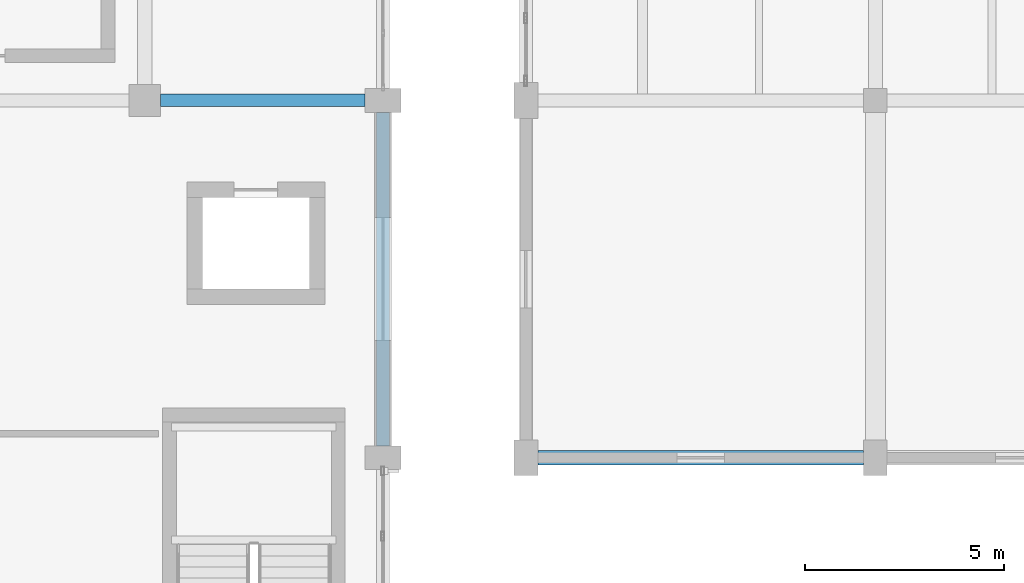
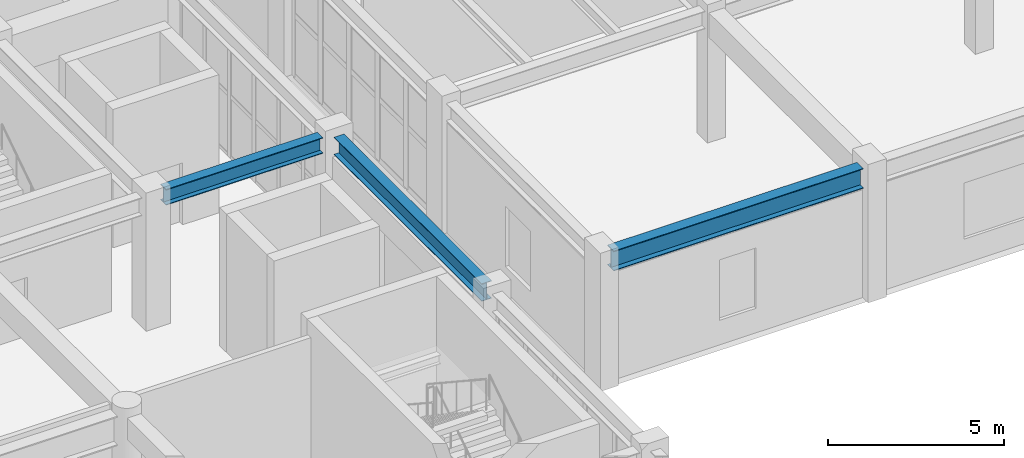
# One storey, part 27 of 96: 3 beams.
"""IFC4 building model written with IfcOpenShell, lengths in metres."""

from ifc_helpers import new_model, si_unit, direction, frame, origin, origin_2d, place, context, subcontext, project, spatial, i_section, extrude, material, material_profile, profile_set, type_object, element, save


model = new_model("IFC4")

# Units and contexts
model_context = context("Model", 3, precision=1e-05, world=origin(), true_north=direction((0.0, 1.0)))
body_context = subcontext(model_context, "Body", "Model", "MODEL_VIEW")
ifc_project = project(units=[si_unit("LENGTHUNIT", "METRE"), si_unit("AREAUNIT", "SQUARE_METRE"), si_unit("VOLUMEUNIT", "CUBIC_METRE"), si_unit("PLANEANGLEUNIT", "RADIAN"), si_unit("MASSUNIT", "GRAM", prefix="KILO")], contexts=[model_context])

# Site, building, storey
site_placement = place(None, origin())
site = spatial("IfcSite", under=ifc_project, at=site_placement, CompositionType="ELEMENT")
building_placement = place(site_placement, origin())
building = spatial("IfcBuilding", under=site, at=building_placement, Name="Vaelkrest Opera House", CompositionType="ELEMENT")
storey_placement = place(building_placement, frame((0.0, 0.0, 5.39990234375)))
storey = spatial("IfcBuildingStorey", under=building, at=storey_placement, Name="L01", CompositionType="ELEMENT", Elevation=5.39990234375)

# Beams
ifc_material = material(Name="Steel A992 Gr50", Category="steel")
ifc_material_profile_1 = material_profile(ifc_material, i_section(OverallWidth=0.31494140625, OverallDepth=0.551025390625, WebThickness=0.01513671875, FlangeThickness=0.0244140625, at=origin_2d()), Name="W21X122")
ifc_profile_set_1 = profile_set([ifc_material_profile_1], Name="Steel A992 Gr50")
beam_type_1 = type_object("IfcBeamType", Name="B20", PredefinedType="BEAM", material=ifc_profile_set_1)
beam_1_placement = place(storey_placement, frame((24.39990234375, -28.800048828125, 4.224609375), z_axis=(1.0, 0.0, 0.0), x_axis=(0.0, 1.0, 0.0)))
element("IfcBeam", 1, at=beam_1_placement, inside=storey, type_object=beam_type_1, Name="Beam BM-V1-L01-0228", PredefinedType="BEAM", context=body_context, shape_type="SweptSolid", body=[
    extrude(i_section(OverallWidth=0.31494140625, OverallDepth=0.551025390625, WebThickness=0.01513671875, FlangeThickness=0.0244140625, at=origin_2d()), origin(), (0.0, 0.0, 1.0), 5.150146484375),
])
ifc_material_profile_2 = material_profile(ifc_material, i_section(OverallWidth=0.323974609375, OverallDepth=0.611083984375, WebThickness=0.0126953125, FlangeThickness=0.01904296875, at=origin_2d()), Name="W24X104")
ifc_profile_set_2 = profile_set([ifc_material_profile_2], Name="Steel A992 Gr50")
beam_type_2 = type_object("IfcBeamType", Name="SP01", PredefinedType="SPANDREL", material=ifc_profile_set_2)
beam_2_placement = place(storey_placement, frame((30.0, -37.5, 4.194580078125), z_axis=(0.0, 1.0, 0.0), x_axis=(-1.0, 0.0, 0.0)))
element("IfcBeam", 2, at=beam_2_placement, inside=storey, type_object=beam_type_2, Name="Beam BM-V1-L01-0293", PredefinedType="SPANDREL", context=body_context, shape_type="SweptSolid", body=[
    extrude(i_section(OverallWidth=0.323974609375, OverallDepth=0.611083984375, WebThickness=0.0126953125, FlangeThickness=0.01904296875, at=origin_2d()), origin(), (0.0, 0.0, 1.0), 8.39990234375),
])
ifc_material_profile_3 = material_profile(ifc_material, i_section(OverallWidth=0.35498046875, OverallDepth=0.695068359375, WebThickness=0.015380859375, FlangeThickness=0.02490234375, at=origin_2d()), Name="W27X146")
ifc_profile_set_3 = profile_set([ifc_material_profile_3], Name="Steel A992 Gr50")
beam_type_3 = type_object("IfcBeamType", Name="SP02", PredefinedType="SPANDREL", material=ifc_profile_set_3)
beam_3_placement = place(storey_placement, frame((33.89990234375, -37.800048828125, 4.15771484375), z_axis=(1.0, 0.0, 0.0), x_axis=(0.0, 1.0, 0.0)))
element("IfcBeam", 3, at=beam_3_placement, inside=storey, type_object=beam_type_3, Name="Beam BM-V4-L01-2115", PredefinedType="SPANDREL", context=body_context, shape_type="SweptSolid", body=[
    extrude(i_section(OverallWidth=0.35498046875, OverallDepth=0.695068359375, WebThickness=0.015380859375, FlangeThickness=0.02490234375, at=origin_2d()), origin(), (0.0, 0.0, 1.0), 8.2001953125),
])

save(model, "model.ifc")
